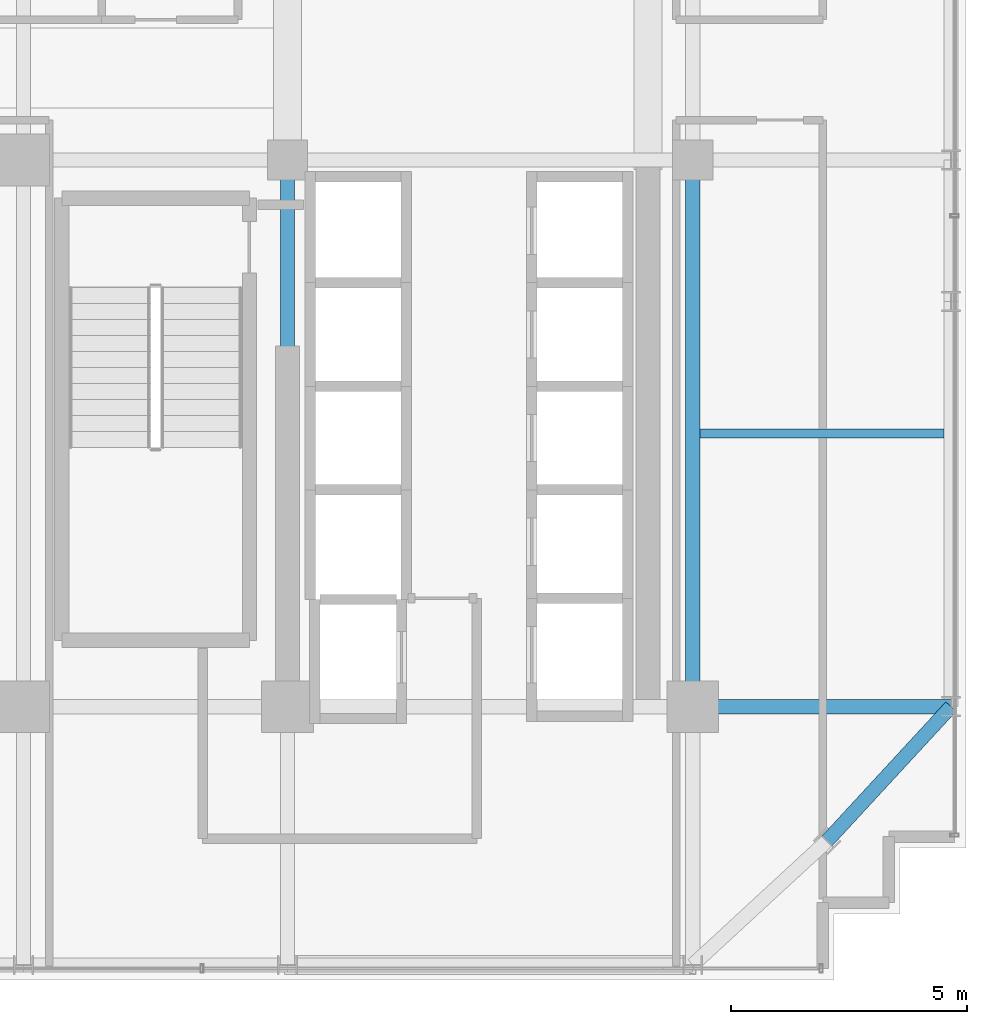
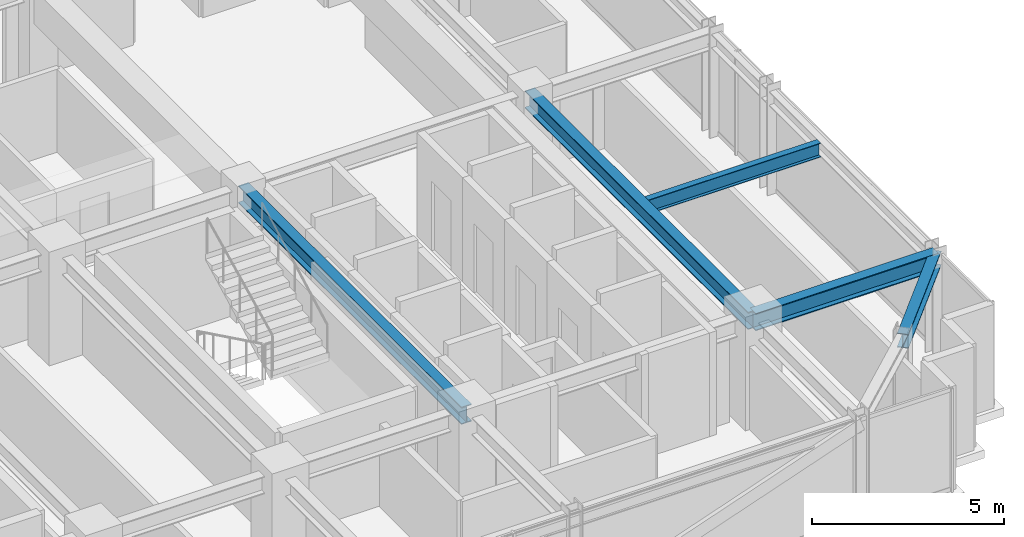
# One storey, part 11 of 32: 5 beams.
"""IFC4 building model written with IfcOpenShell, lengths in metres."""

from ifc_helpers import new_model, si_unit, direction, frame, origin, origin_2d, place, context, subcontext, project, spatial, i_section, extrude, source, transform, mapped, material, material_profile, profile_set, type_object, element, save


model = new_model("IFC4")

# Units and contexts
model_context = context("Model", 3, precision=1e-05, world=origin(), true_north=direction((0.0, 1.0)))
body_context = subcontext(model_context, "Body", "Model", "MODEL_VIEW")
ifc_project = project(units=[si_unit("LENGTHUNIT", "METRE"), si_unit("AREAUNIT", "SQUARE_METRE"), si_unit("VOLUMEUNIT", "CUBIC_METRE"), si_unit("PLANEANGLEUNIT", "RADIAN"), si_unit("MASSUNIT", "GRAM", prefix="KILO")], contexts=[model_context])

# Site, building, storey
site_placement = place(None, origin())
site = spatial("IfcSite", under=ifc_project, at=site_placement, CompositionType="ELEMENT")
building_placement = place(site_placement, origin())
building = spatial("IfcBuilding", under=site, at=building_placement, Name="Nahalor Promenade Grand Hotel", CompositionType="ELEMENT")
storey_placement = place(building_placement, frame((0.0, 0.0, 196.449951171875)))
storey = spatial("IfcBuildingStorey", under=building, at=storey_placement, Name="L50", CompositionType="ELEMENT", Elevation=196.449951171875)

# Beams
ifc_material = material(Name="Steel S355JR", Category="steel")
ifc_material_profile_1 = material_profile(ifc_material, i_section(OverallWidth=0.3, OverallDepth=0.55, WebThickness=0.015, FlangeThickness=0.029, at=origin_2d()), Name="HEB 550")
ifc_profile_set_1 = profile_set([ifc_material_profile_1], Name="Steel S355JR")
beam_type_1 = type_object("IfcBeamType", Name="Beam-Girder-HEB550", PredefinedType="BEAM", material=ifc_profile_set_1)
shared_shape_1 = source(origin(), body_context, "Body", "SweptSolid", [
    extrude(i_section(OverallWidth=0.3, OverallDepth=0.55, WebThickness=0.015, FlangeThickness=0.029, at=origin_2d()), origin(), (0.0, 0.0, 1.0), 11.60009765625),
])
for number, where, z_axis, x_axis, name in (
    (1, (8.39990234375, -17.0, 3.01513671875), (0.0, 1.0, 0.0), (-1.0, 0.0, 0.0), "BM-L50-GY-4-1"),
    (2, (17.0, -17.0, 3.01513671875), (0.0, 1.0, 0.0), (-1.0, 0.0, 0.0), "BM-L50-GY-5-1"),
):
    element("IfcBeam", number, at=place(storey_placement, frame(where, z_axis=z_axis, x_axis=x_axis)), inside=storey, type_object=beam_type_1, Name=name, PredefinedType="BEAM", context=body_context, shape_type="MappedRepresentation", body=[
        mapped(shared_shape_1, transform((0.0, 0.0, 0.0), scale=1.0)),
    ])
shared_shape_2 = source(origin(), body_context, "Body", "SweptSolid", [
    extrude(i_section(OverallWidth=0.3, OverallDepth=0.55, WebThickness=0.015, FlangeThickness=0.029, at=origin_2d()), origin(), (0.0, 0.0, 1.0), 5.47998046875),
])
beam_1_placement = place(storey_placement, frame((17.0, -17.0, 3.01513671875), z_axis=(1.0, 0.0, 0.0), x_axis=(0.0, 1.0, 0.0)))
element("IfcBeam", 3, at=beam_1_placement, inside=storey, type_object=beam_type_1, Name="BM-L50-GX-0-6", PredefinedType="BEAM", context=body_context, shape_type="MappedRepresentation", body=[
    mapped(shared_shape_2, transform((0.0, 0.0, 0.0), scale=1.0)),
])
ifc_material_profile_2 = material_profile(ifc_material, i_section(OverallWidth=0.19, OverallDepth=0.45, WebThickness=0.0094, FlangeThickness=0.0146, at=origin_2d()), Name="IPE 450")
ifc_profile_set_2 = profile_set([ifc_material_profile_2], Name="Steel S355JR")
beam_type_2 = type_object("IfcBeamType", Name="Beam-Joist-IPE450", PredefinedType="JOIST", material=ifc_profile_set_2)
shared_shape_3 = source(origin(), body_context, "Body", "SweptSolid", [
    extrude(i_section(OverallWidth=0.19, OverallDepth=0.45, WebThickness=0.0094, FlangeThickness=0.0146, at=origin_2d()), origin(), (0.0, 0.0, 1.0), 5.18017578125),
])
beam_2_placement = place(storey_placement, frame((17.14990234375, -11.199951171875, 3.06494140625), z_axis=(1.0, 0.0, 0.0), x_axis=(0.0, 1.0, 0.0)))
element("IfcBeam", 4, at=beam_2_placement, inside=storey, type_object=beam_type_2, Name="BM-L50-JSE-0-2", PredefinedType="JOIST", context=body_context, shape_type="MappedRepresentation", body=[
    mapped(shared_shape_3, transform((0.0, 0.0, 0.0), scale=1.0)),
])
ifc_material_profile_3 = material_profile(ifc_material, i_section(OverallWidth=0.3, OverallDepth=0.45, WebThickness=0.014, FlangeThickness=0.026, at=origin_2d()), Name="HEB 450")
ifc_profile_set_3 = profile_set([ifc_material_profile_3], Name="Steel S355JR")
beam_type_3 = type_object("IfcBeamType", Name="Beam-Spandrel-HEB450", PredefinedType="SPANDREL", material=ifc_profile_set_3)
shared_shape_4 = source(origin(), body_context, "Body", "SweptSolid", [
    extrude(i_section(OverallWidth=0.3, OverallDepth=0.45, WebThickness=0.014, FlangeThickness=0.026, at=origin_2d()), origin(), (0.0, 0.0, 1.0), 3.878173828125),
])
beam_3_placement = place(storey_placement, frame((19.85009765625, -19.85009765625, 3.06494140625), z_axis=(0.678144125843, 0.73492893846, 0.0), x_axis=(-0.73492893846, 0.678144125843, 0.0)))
element("IfcBeam", 5, at=beam_3_placement, inside=storey, type_object=beam_type_3, Name="BM-L50-SPC-SE-2", PredefinedType="SPANDREL", context=body_context, shape_type="MappedRepresentation", body=[
    mapped(shared_shape_4, transform((0.0, 0.0, 0.0), scale=1.0)),
])

save(model, "model.ifc")
